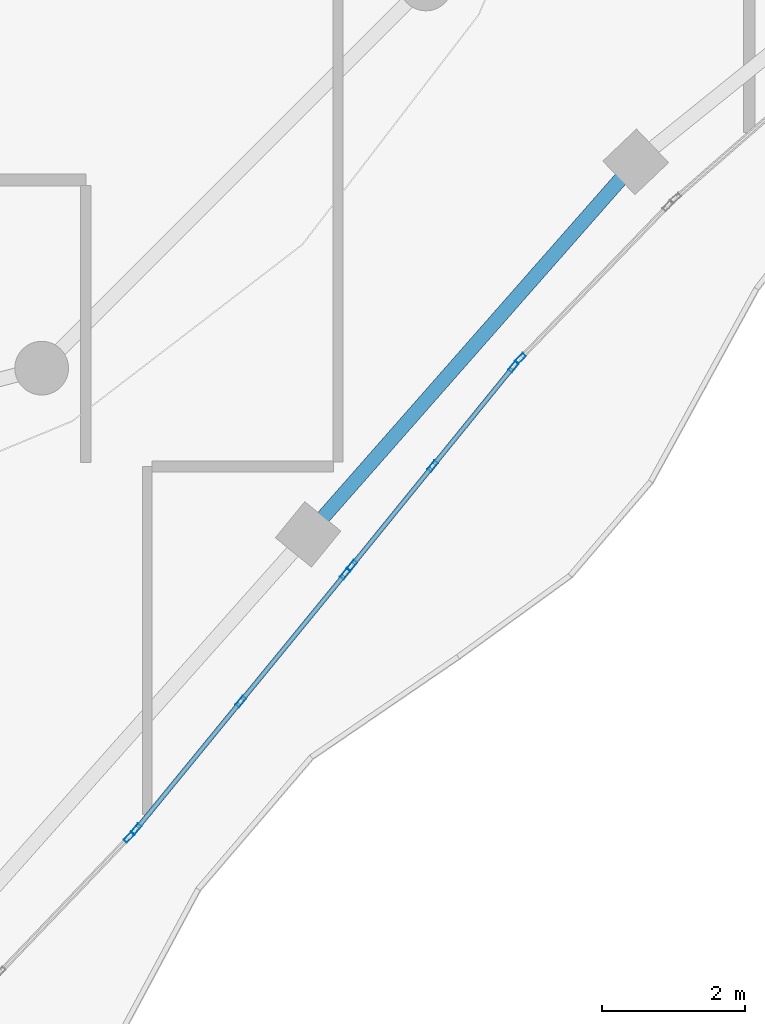
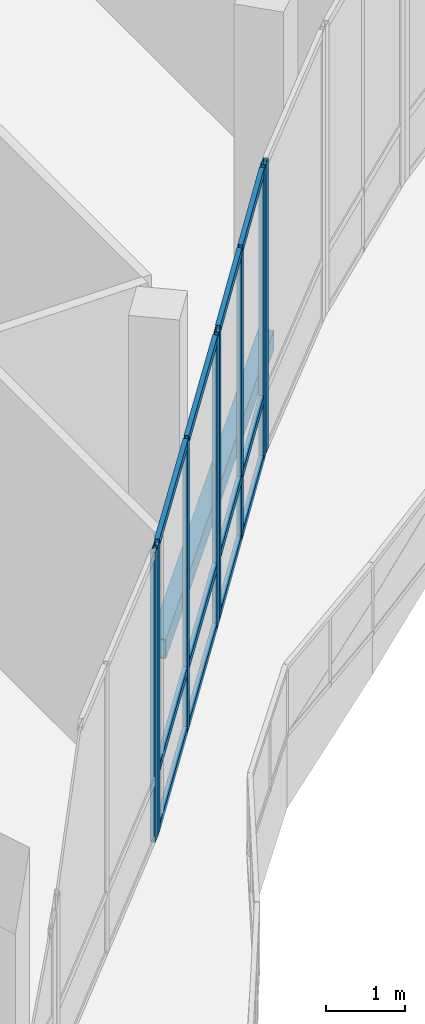
# One storey, part 44 of 155: 20 members, 1 beam, 4 elements without a shape of their own.
"""IFC4 building model written with IfcOpenShell, lengths in metres."""

import ifcopenshell
import ifcopenshell.guid

model = None  # the IFC model being written
_history = None  # IfcOwnerHistory: only IFC2X3 demands one
_inside = {}  # id of a spatial element -> (the spatial element, [elements in it])
_under = {}  # id of a project, library or spatial element -> (it, [spatial elements below it])
_declared = {}  # id of a project -> (the project, [libraries it declares])
_typed = {}  # id of a type object -> (the type object, [elements of that type])
_made_of = {}  # id of a material, layer set ... -> (it, [elements and type objects made of it])


def new_model(schema):
    """Start an empty IFC model of exactly this schema.

    Asked for "IFC4X3", IfcOpenShell would pick the latest addendum, in which some entities
    have other attributes; the version numbers below select the first issue.
    IFC2X3 requires an IfcOwnerHistory on every rooted entity: one is made here for all.
    """
    global model, _history
    if schema == "IFC4X3":
        model = ifcopenshell.file(schema_version=(4, 3, 0, 0))
    else:
        model = ifcopenshell.file(schema=schema)
    _inside.clear()
    _under.clear()
    _declared.clear()
    _typed.clear()
    _made_of.clear()
    _history = None
    if model.schema == "IFC2X3":
        org = make("IfcOrganization", Name="unknown")
        user = make(
            "IfcPersonAndOrganization",
            ThePerson=make("IfcPerson", FamilyName="unknown"),
            TheOrganization=org,
        )
        app = make(
            "IfcApplication",
            ApplicationDeveloper=org,
            Version="unknown",
            ApplicationFullName="unknown",
            ApplicationIdentifier="unknown",
        )
        _history = make(
            "IfcOwnerHistory",
            OwningUser=user,
            OwningApplication=app,
            ChangeAction="ADDED",
            CreationDate=0,
        )
    return model


def make(cls, **values):
    """One entity of the class cls with the attributes given. An attribute that is None is left unset."""
    return model.create_entity(
        cls, **{name: value for name, value in values.items() if value is not None}
    )


def rooted(cls, **values):
    """An entity with a GlobalId (a new one), such as an element, a storey or a relation."""
    return make(cls, GlobalId=ifcopenshell.guid.new(), OwnerHistory=_history, **values)


def si_unit(unit_type, name, prefix=None):
    """IfcSIUnit, for example si_unit("LENGTHUNIT", "METRE", prefix="MILLI")."""
    return make("IfcSIUnit", UnitType=unit_type, Prefix=prefix, Name=name)


def assignment(units):
    """IfcUnitAssignment: the units of a project."""
    return None if units is None else make("IfcUnitAssignment", Units=units)


def point(xyz):
    """IfcCartesianPoint."""
    return None if xyz is None else make("IfcCartesianPoint", Coordinates=xyz)


def direction(xyz):
    """IfcDirection."""
    return None if xyz is None else make("IfcDirection", DirectionRatios=xyz)


def frame(location, z_axis=None, x_axis=None):
    """IfcAxis2Placement3D, a coordinate frame: its origin and axes. An axis left out is left unset."""
    return make(
        "IfcAxis2Placement3D",
        Location=point(location),
        Axis=direction(z_axis),
        RefDirection=direction(x_axis),
    )


def frame_2d(location, x_axis=None):
    """IfcAxis2Placement2D, a coordinate frame in the plane: its origin and x axis."""
    return make(
        "IfcAxis2Placement2D", Location=point(location), RefDirection=direction(x_axis)
    )


def origin():
    """The frame at (0, 0, 0) with its axes left unset."""
    return frame((0.0, 0.0, 0.0))


def origin_2d():
    """The frame at (0, 0) in the plane with its x axis left unset."""
    return frame_2d((0.0, 0.0))


def place(relative_to, where):
    """IfcLocalPlacement: puts the frame where relative to a parent placement (None: the world)."""
    return make(
        "IfcLocalPlacement", PlacementRelTo=relative_to, RelativePlacement=where
    )


def context(
    kind, dimensions, precision=None, world=None, true_north=None, identifier=None
):
    """IfcGeometricRepresentationContext, for example the 3D "Model" context."""
    return make(
        "IfcGeometricRepresentationContext",
        ContextIdentifier=identifier,
        ContextType=kind,
        CoordinateSpaceDimension=dimensions,
        Precision=precision,
        WorldCoordinateSystem=world,
        TrueNorth=true_north,
    )


def subcontext(parent, identifier, kind, view, scale=None):
    """IfcGeometricRepresentationSubContext, for example "Body" below "Model"."""
    return make(
        "IfcGeometricRepresentationSubContext",
        ContextIdentifier=identifier,
        ContextType=kind,
        ParentContext=parent,
        TargetScale=scale,
        TargetView=view,
    )


def project(units=None, contexts=None):
    """IfcProject with its units and contexts."""
    return rooted(
        "IfcProject",
        Name="project",
        RepresentationContexts=contexts,
        UnitsInContext=assignment(units),
    )


def spatial(cls, under=None, at=None, **own):
    """A site, building, storey or space (cls), placed at a placement, below another one or the project."""
    s = rooted(cls, ObjectPlacement=at, **own)
    if under is not None:
        _under.setdefault(under.id(), (under, []))[1].append(s)
    return s


def profile(cls, at=None, kind="AREA", **sizes):
    """A parametric profile (cls). Its sizes go by their IFC names, for example OverallWidth=200.0."""
    return make(cls, ProfileType=kind, Position=at, **sizes)


def hollow_rectangle(**sizes):
    """IfcRectangleHollowProfileDef."""
    return profile("IfcRectangleHollowProfileDef", **sizes)


def extrude(swept, where, along, depth):
    """IfcExtrudedAreaSolid: the profile swept, set in the frame where, extruded along a direction by depth."""
    return make(
        "IfcExtrudedAreaSolid",
        SweptArea=swept,
        Position=where,
        ExtrudedDirection=direction(along),
        Depth=depth,
    )


def shape(context_of_items, identifier, shape_type, items):
    """IfcShapeRepresentation: the items that make up one representation, for example the "Body"."""
    return make(
        "IfcShapeRepresentation",
        ContextOfItems=context_of_items,
        RepresentationIdentifier=identifier,
        RepresentationType=shape_type,
        Items=items,
    )


def material(Name=None, Category=None):
    """IfcMaterial."""
    return make("IfcMaterial", Name=Name, Category=Category)


def material_profile(
    of_material, cross_section, Name=None, Category=None, Priority=None
):
    """IfcMaterialProfile: a cross section and its material."""
    return make(
        "IfcMaterialProfile",
        Name=Name,
        Material=of_material,
        Profile=cross_section,
        Priority=Priority,
        Category=Category,
    )


def profile_set(profiles, Name=None, composite=None):
    """IfcMaterialProfileSet."""
    return make(
        "IfcMaterialProfileSet",
        Name=Name,
        MaterialProfiles=profiles,
        CompositeProfile=composite,
    )


def made_of(thing, what):
    """Note that an element or type object is made of a material, layer set ...; save() writes the relation."""
    if what is not None:
        _made_of.setdefault(what.id(), (what, []))[1].append(thing)
    return thing


def type_object(cls, material=None, **own):
    """A type object (cls), such as IfcWallType, which elements share."""
    return made_of(rooted(cls, **own), material)


def element(
    cls,
    number,
    at=None,
    inside=None,
    cuts=None,
    type_object=None,
    material=None,
    context=None,
    identifier="Body",
    shape_type=None,
    held_by="IfcProductDefinitionShape",
    body=None,
    shapes=None,
    **own,
):
    """One element of the class cls, such as IfcWall. Its Tag is "e" and its number.

    at: its placement. inside: the storey or other place that contains it. cuts: it is an
    opening in that element (IfcRelVoidsElement). A single representation is given by context,
    identifier, shape_type and body (its items); several are given by shapes. held_by: the class
    of the entity that holds the representations. save() writes the other relations.
    """
    e = rooted(cls, Tag="e%d" % number, ObjectPlacement=at, **own)
    if body is not None:
        shapes = [shape(context, identifier, shape_type, body)]
    if shapes is not None:
        e.Representation = make(held_by, Representations=shapes)
    if inside is not None:
        _inside.setdefault(inside.id(), (inside, []))[1].append(e)
    if cuts is not None:
        rooted(
            "IfcRelVoidsElement", RelatingBuildingElement=cuts, RelatedOpeningElement=e
        )
    if type_object is not None:
        _typed.setdefault(type_object.id(), (type_object, []))[1].append(e)
    return made_of(e, material)


def aggregate(whole, parts):
    """IfcRelAggregates: a whole, such as a stair, and the parts it consists of."""
    return rooted("IfcRelAggregates", RelatingObject=whole, RelatedObjects=parts)


def save(model, path):
    """Write the relations noted so far, then the file.

    IfcRelAggregates (storeys below a building ...), IfcRelContainedInSpatialStructure (elements
    in a storey), IfcRelDefinesByType, IfcRelAssociatesMaterial and IfcRelDeclares: one each for
    every whole, place, type object, material and project.
    """
    for whole, parts in _under.values():
        aggregate(whole, parts)
    for where, things in _inside.values():
        rooted(
            "IfcRelContainedInSpatialStructure",
            RelatedElements=things,
            RelatingStructure=where,
        )
    for kind, things in _typed.values():
        rooted("IfcRelDefinesByType", RelatedObjects=things, RelatingType=kind)
    for what, things in _made_of.values():
        rooted("IfcRelAssociatesMaterial", RelatedObjects=things, RelatingMaterial=what)
    for by, libraries in _declared.values():
        rooted("IfcRelDeclares", RelatingContext=by, RelatedDefinitions=libraries)
    model.write(path)


model = new_model("IFC4")

# Units and contexts
model_context = context("Model", 3, precision=1e-05, world=origin(), true_north=direction((0.0, 1.0)))
body_context = subcontext(model_context, "Body", "Model", "MODEL_VIEW")
ifc_project = project(units=[si_unit("LENGTHUNIT", "METRE"), si_unit("AREAUNIT", "SQUARE_METRE"), si_unit("VOLUMEUNIT", "CUBIC_METRE"), si_unit("PLANEANGLEUNIT", "RADIAN"), si_unit("MASSUNIT", "GRAM", prefix="KILO")], contexts=[model_context])

# Site, building, storey
site_placement = place(None, origin())
site = spatial("IfcSite", under=ifc_project, at=site_placement, CompositionType="ELEMENT")
building_placement = place(site_placement, origin())
building = spatial("IfcBuilding", under=site, at=building_placement, Name="Selatvlak General Hospital", CompositionType="ELEMENT")
storey_placement = place(building_placement, frame((0.0, 0.0, 10.199951171875)))
storey = spatial("IfcBuildingStorey", under=building, at=storey_placement, Name="L02", CompositionType="ELEMENT", Elevation=10.199951171875)

# Beam
ifc_material_1 = material(Name="Steel S355", Category="steel")
ifc_material_profile_1 = material_profile(ifc_material_1, hollow_rectangle(XDim=0.199951171875, YDim=0.300048828125, WallThickness=0.011962890625, at=origin_2d()), Name="RHS 300x200x12")
ifc_profile_set_1 = profile_set([ifc_material_profile_1], Name="Steel S355")
beam_type = type_object("IfcBeamType", Name="BM-SP3", PredefinedType="SPANDREL", material=ifc_profile_set_1)
beam_placement = place(storey_placement, frame((109.04296875, 38.992919921875, -0.5048828125), z_axis=(0.660377453115, 0.750933831584, 0.0), x_axis=(-0.750933831584, 0.660377453115, 0.0)))
element("IfcBeam", 1, at=beam_placement, inside=storey, type_object=beam_type, Name="Beam BMR-L02-1147", PredefinedType="SPANDREL", context=body_context, shape_type="SweptSolid", body=[
    extrude(hollow_rectangle(XDim=0.199951171875, YDim=0.300048828125, WallThickness=0.011962890625, at=origin_2d()), origin(), (0.0, 0.0, 1.0), 6.92333984375),
])

# Curtain wall, member
ifc_material_2 = material(Name="Solar-control Low-E double glazing", Category="glass")
curtain_wall_type_1 = type_object("IfcCurtainWallType", Name="CW-CW-01", PredefinedType="USERDEFINED", material=ifc_material_2)
curtain_wall_1_placement = place(storey_placement, origin())
curtain_wall_1 = element("IfcCurtainWall", 2, at=curtain_wall_1_placement, inside=storey, type_object=curtain_wall_type_1, Name="Glazed facade curtain wall CW-L02-0293", ObjectType="UNITISED CURTAIN WALL", PredefinedType="USERDEFINED")
ifc_material_3 = material(Name="Dark anodised aluminium mullion", Category="aluminium")
ifc_material_profile_2 = material_profile(ifc_material_3, hollow_rectangle(XDim=0.06494140625, YDim=0.159912109375, WallThickness=0.00390625, at=origin_2d()), Name="AL-MUL 65x160x4")
ifc_profile_set_2 = profile_set([ifc_material_profile_2], Name="Dark anodised aluminium mullion")
member_type_1 = type_object("IfcMemberType", Name="CWM-01", PredefinedType="MULLION", material=ifc_profile_set_2)
member_1_placement = place(storey_placement, frame((112.003662109375, 41.4453125, 0.0), z_axis=(0.0, 0.0, 1.0), x_axis=(0.719196973261, -0.694806241805, 0.0)))
member_1 = element("IfcMember", 3, at=member_1_placement, type_object=member_type_1, Name="CW-01 mullion 2", PredefinedType="MULLION", context=body_context, shape_type="SweptSolid", body=[
    extrude(hollow_rectangle(XDim=0.06494140625, YDim=0.159912109375, WallThickness=0.00390625, at=origin_2d()), origin(), (0.0, 0.0, 1.0), 4.4599609375),
])
aggregate(curtain_wall_1, [member_1])

# Curtain wall, members
curtain_wall_type_2 = type_object("IfcCurtainWallType", Name="CW-CW-02", PredefinedType="USERDEFINED", material=ifc_material_2)
curtain_wall_2_placement = place(storey_placement, origin())
curtain_wall_2 = element("IfcCurtainWall", 4, at=curtain_wall_2_placement, inside=storey, type_object=curtain_wall_type_2, Name="Glazed facade curtain wall CW-L02-0294", ObjectType="UNITISED CURTAIN WALL", PredefinedType="USERDEFINED")
member_2_placement = place(storey_placement, frame((111.909423828125, 41.334716796875, 0.0), z_axis=(0.0, 0.0, 1.0), x_axis=(0.776323804924, -0.630334315986, 0.0)))
member_2 = element("IfcMember", 5, at=member_2_placement, type_object=member_type_1, Name="CW-02 mullion 1", PredefinedType="MULLION", context=body_context, shape_type="SweptSolid", body=[
    extrude(hollow_rectangle(XDim=0.06494140625, YDim=0.159912109375, WallThickness=0.00390625, at=origin_2d()), origin(), (0.0, 0.0, 1.0), 4.4599609375),
])
member_3_placement = place(storey_placement, frame((110.781494140625, 39.945556640625, 0.0), z_axis=(0.0, 0.0, 1.0), x_axis=(0.776323804924, -0.630334315986, 0.0)))
member_3 = element("IfcMember", 6, at=member_3_placement, type_object=member_type_1, Name="CW-02 mullion 2", PredefinedType="MULLION", context=body_context, shape_type="SweptSolid", body=[
    extrude(hollow_rectangle(XDim=0.06494140625, YDim=0.159912109375, WallThickness=0.00390625, at=origin_2d()), origin(), (0.0, 0.0, 1.0), 4.4599609375),
])
member_4_placement = place(storey_placement, frame((109.653564453125, 38.55615234375, 0.0), z_axis=(0.0, 0.0, 1.0), x_axis=(0.776323804924, -0.630334315986, 0.0)))
member_4 = element("IfcMember", 7, at=member_4_placement, type_object=member_type_1, Name="CW-02 mullion 3", PredefinedType="MULLION", context=body_context, shape_type="SweptSolid", body=[
    extrude(hollow_rectangle(XDim=0.06494140625, YDim=0.159912109375, WallThickness=0.00390625, at=origin_2d()), origin(), (0.0, 0.0, 1.0), 4.4599609375),
])

curtain_wall_3_placement = place(storey_placement, origin())
curtain_wall_3 = element("IfcCurtainWall", 8, at=curtain_wall_3_placement, inside=storey, type_object=curtain_wall_type_1, Name="Glazed facade curtain wall CW-L02-0295", ObjectType="UNITISED CURTAIN WALL", PredefinedType="USERDEFINED")
member_5_placement = place(storey_placement, frame((109.5625, 38.44287109375, 0.0), z_axis=(0.0, 0.0, 1.0), x_axis=(0.773785702976, -0.633447461018, 0.0)))
member_5 = element("IfcMember", 9, at=member_5_placement, type_object=member_type_1, Name="CW-01 mullion 1", PredefinedType="MULLION", context=body_context, shape_type="SweptSolid", body=[
    extrude(hollow_rectangle(XDim=0.06494140625, YDim=0.159912109375, WallThickness=0.00390625, at=origin_2d()), origin(), (0.0, 0.0, 1.0), 4.4599609375),
])
member_6_placement = place(storey_placement, frame((108.1025390625, 36.659423828125, 0.0), z_axis=(0.0, 0.0, 1.0), x_axis=(0.773785702976, -0.633447461018, 0.0)))
member_6 = element("IfcMember", 10, at=member_6_placement, type_object=member_type_1, Name="CW-01 mullion 2", PredefinedType="MULLION", context=body_context, shape_type="SweptSolid", body=[
    extrude(hollow_rectangle(XDim=0.06494140625, YDim=0.159912109375, WallThickness=0.00390625, at=origin_2d()), origin(), (0.0, 0.0, 1.0), 4.4599609375),
])
member_7_placement = place(storey_placement, frame((106.642578125, 34.876220703125, 0.0), z_axis=(0.0, 0.0, 1.0), x_axis=(0.773785702976, -0.633447461018, 0.0)))
member_7 = element("IfcMember", 11, at=member_7_placement, type_object=member_type_1, Name="CW-01 mullion 3", PredefinedType="MULLION", context=body_context, shape_type="SweptSolid", body=[
    extrude(hollow_rectangle(XDim=0.06494140625, YDim=0.159912109375, WallThickness=0.00390625, at=origin_2d()), origin(), (0.0, 0.0, 1.0), 4.4599609375),
])

# Curtain wall, member
curtain_wall_4_placement = place(storey_placement, origin())
curtain_wall_4 = element("IfcCurtainWall", 12, at=curtain_wall_4_placement, inside=storey, type_object=curtain_wall_type_2, Name="Glazed facade curtain wall CW-L02-0296", ObjectType="UNITISED CURTAIN WALL", PredefinedType="USERDEFINED")
member_8_placement = place(storey_placement, frame((106.545654296875, 34.7685546875, 0.0), z_axis=(0.0, 0.0, 1.0), x_axis=(0.722908808256, -0.690943452785, 0.0)))
member_8 = element("IfcMember", 13, at=member_8_placement, type_object=member_type_1, Name="CW-02 mullion 1", PredefinedType="MULLION", context=body_context, shape_type="SweptSolid", body=[
    extrude(hollow_rectangle(XDim=0.06494140625, YDim=0.159912109375, WallThickness=0.00390625, at=origin_2d()), origin(), (0.0, 0.0, 1.0), 4.4599609375),
])
aggregate(curtain_wall_4, [member_8])

# Member
ifc_material_profile_3 = material_profile(ifc_material_3, hollow_rectangle(XDim=0.06494140625, YDim=0.1201171875, WallThickness=0.00390625, at=origin_2d()), Name="AL-TRN 65x120x4")
ifc_profile_set_3 = profile_set([ifc_material_profile_3], Name="Dark anodised aluminium mullion")
member_type_2 = type_object("IfcMemberType", Name="CWT-01", PredefinedType="USERDEFINED", material=ifc_profile_set_3)
member_9_placement = place(storey_placement, frame((111.888916015625, 41.3095703125, 0.032470703125), z_axis=(-0.630272788322, -0.776373758122, 0.0), x_axis=(0.776373758122, -0.630272788322, 0.0)))
member_9 = element("IfcMember", 14, at=member_9_placement, type_object=member_type_2, Name="CW-02 transom 1.1", ObjectType="TRANSOM", PredefinedType="USERDEFINED", context=body_context, shape_type="SweptSolid", body=[
    extrude(hollow_rectangle(XDim=0.06494140625, YDim=0.1201171875, WallThickness=0.00390625, at=origin_2d()), origin(), (0.0, 0.0, 1.0), 1.724609375),
])

member_10_placement = place(storey_placement, frame((111.888916015625, 41.3095703125, 0.949951171875), z_axis=(-0.630272788322, -0.776373758122, 0.0), x_axis=(0.776373758122, -0.630272788322, 0.0)))
member_10 = element("IfcMember", 15, at=member_10_placement, type_object=member_type_2, Name="CW-02 transom 1.2", ObjectType="TRANSOM", PredefinedType="USERDEFINED", context=body_context, shape_type="SweptSolid", body=[
    extrude(hollow_rectangle(XDim=0.06494140625, YDim=0.1201171875, WallThickness=0.00390625, at=origin_2d()), origin(), (0.0, 0.0, 1.0), 1.724609375),
])

member_11_placement = place(storey_placement, frame((111.888916015625, 41.3095703125, 4.427490234375), z_axis=(-0.630272788322, -0.776373758122, 0.0), x_axis=(0.776373758122, -0.630272788322, 0.0)))
member_11 = element("IfcMember", 16, at=member_11_placement, type_object=member_type_2, Name="CW-02 transom 1.3", ObjectType="TRANSOM", PredefinedType="USERDEFINED", context=body_context, shape_type="SweptSolid", body=[
    extrude(hollow_rectangle(XDim=0.06494140625, YDim=0.1201171875, WallThickness=0.00390625, at=origin_2d()), origin(), (0.0, 0.0, 1.0), 1.724609375),
])

member_12_placement = place(storey_placement, frame((110.760986328125, 39.920166015625, 0.032470703125), z_axis=(-0.630342067833, -0.776317510765, 0.0), x_axis=(0.776317510765, -0.630342067833, 0.0)))
member_12 = element("IfcMember", 17, at=member_12_placement, type_object=member_type_2, Name="CW-02 transom 2.1", ObjectType="TRANSOM", PredefinedType="USERDEFINED", context=body_context, shape_type="SweptSolid", body=[
    extrude(hollow_rectangle(XDim=0.06494140625, YDim=0.1201171875, WallThickness=0.00390625, at=origin_2d()), origin(), (0.0, 0.0, 1.0), 1.724365234375),
])

member_13_placement = place(storey_placement, frame((110.760986328125, 39.920166015625, 0.949951171875), z_axis=(-0.630342067833, -0.776317510765, 0.0), x_axis=(0.776317510765, -0.630342067833, 0.0)))
member_13 = element("IfcMember", 18, at=member_13_placement, type_object=member_type_2, Name="CW-02 transom 2.2", ObjectType="TRANSOM", PredefinedType="USERDEFINED", context=body_context, shape_type="SweptSolid", body=[
    extrude(hollow_rectangle(XDim=0.06494140625, YDim=0.1201171875, WallThickness=0.00390625, at=origin_2d()), origin(), (0.0, 0.0, 1.0), 1.724365234375),
])

member_14_placement = place(storey_placement, frame((110.760986328125, 39.920166015625, 4.427490234375), z_axis=(-0.630342067833, -0.776317510765, 0.0), x_axis=(0.776317510765, -0.630342067833, 0.0)))
member_14 = element("IfcMember", 19, at=member_14_placement, type_object=member_type_2, Name="CW-02 transom 2.3", ObjectType="TRANSOM", PredefinedType="USERDEFINED", context=body_context, shape_type="SweptSolid", body=[
    extrude(hollow_rectangle(XDim=0.06494140625, YDim=0.1201171875, WallThickness=0.00390625, at=origin_2d()), origin(), (0.0, 0.0, 1.0), 1.724365234375),
])

aggregate(curtain_wall_2, [member_2, member_3, member_4, member_9, member_10, member_11, member_12, member_13, member_14])

member_15_placement = place(storey_placement, frame((109.541748046875, 38.417724609375, 0.032470703125), z_axis=(-0.633415847539, -0.773811581773, 0.0), x_axis=(0.773811581773, -0.633415847539, 0.0)))
member_15 = element("IfcMember", 20, at=member_15_placement, type_object=member_type_2, Name="CW-01 transom 1.1", ObjectType="TRANSOM", PredefinedType="USERDEFINED", context=body_context, shape_type="SweptSolid", body=[
    extrude(hollow_rectangle(XDim=0.06494140625, YDim=0.1201171875, WallThickness=0.00390625, at=origin_2d()), origin(), (0.0, 0.0, 1.0), 2.23974609375),
])

member_16_placement = place(storey_placement, frame((109.541748046875, 38.417724609375, 0.949951171875), z_axis=(-0.633415847539, -0.773811581773, 0.0), x_axis=(0.773811581773, -0.633415847539, 0.0)))
member_16 = element("IfcMember", 21, at=member_16_placement, type_object=member_type_2, Name="CW-01 transom 1.2", ObjectType="TRANSOM", PredefinedType="USERDEFINED", context=body_context, shape_type="SweptSolid", body=[
    extrude(hollow_rectangle(XDim=0.06494140625, YDim=0.1201171875, WallThickness=0.00390625, at=origin_2d()), origin(), (0.0, 0.0, 1.0), 2.23974609375),
])

member_17_placement = place(storey_placement, frame((109.541748046875, 38.417724609375, 4.427490234375), z_axis=(-0.633415847539, -0.773811581773, 0.0), x_axis=(0.773811581773, -0.633415847539, 0.0)))
member_17 = element("IfcMember", 22, at=member_17_placement, type_object=member_type_2, Name="CW-01 transom 1.3", ObjectType="TRANSOM", PredefinedType="USERDEFINED", context=body_context, shape_type="SweptSolid", body=[
    extrude(hollow_rectangle(XDim=0.06494140625, YDim=0.1201171875, WallThickness=0.00390625, at=origin_2d()), origin(), (0.0, 0.0, 1.0), 2.23974609375),
])

member_18_placement = place(storey_placement, frame((108.08203125, 36.63427734375, 0.032470703125), z_axis=(-0.633534538308, -0.773714410342, 0.0), x_axis=(0.773714410342, -0.633534538308, 0.0)))
member_18 = element("IfcMember", 23, at=member_18_placement, type_object=member_type_2, Name="CW-01 transom 2.1", ObjectType="TRANSOM", PredefinedType="USERDEFINED", context=body_context, shape_type="SweptSolid", body=[
    extrude(hollow_rectangle(XDim=0.06494140625, YDim=0.1201171875, WallThickness=0.00390625, at=origin_2d()), origin(), (0.0, 0.0, 1.0), 2.23974609375),
])

member_19_placement = place(storey_placement, frame((108.08203125, 36.63427734375, 0.949951171875), z_axis=(-0.633534538308, -0.773714410342, 0.0), x_axis=(0.773714410342, -0.633534538308, 0.0)))
member_19 = element("IfcMember", 24, at=member_19_placement, type_object=member_type_2, Name="CW-01 transom 2.2", ObjectType="TRANSOM", PredefinedType="USERDEFINED", context=body_context, shape_type="SweptSolid", body=[
    extrude(hollow_rectangle(XDim=0.06494140625, YDim=0.1201171875, WallThickness=0.00390625, at=origin_2d()), origin(), (0.0, 0.0, 1.0), 2.23974609375),
])

member_20_placement = place(storey_placement, frame((108.08203125, 36.63427734375, 4.427490234375), z_axis=(-0.633534538308, -0.773714410342, 0.0), x_axis=(0.773714410342, -0.633534538308, 0.0)))
member_20 = element("IfcMember", 25, at=member_20_placement, type_object=member_type_2, Name="CW-01 transom 2.3", ObjectType="TRANSOM", PredefinedType="USERDEFINED", context=body_context, shape_type="SweptSolid", body=[
    extrude(hollow_rectangle(XDim=0.06494140625, YDim=0.1201171875, WallThickness=0.00390625, at=origin_2d()), origin(), (0.0, 0.0, 1.0), 2.23974609375),
])

aggregate(curtain_wall_3, [member_5, member_6, member_7, member_15, member_16, member_17, member_18, member_19, member_20])

save(model, "model.ifc")
